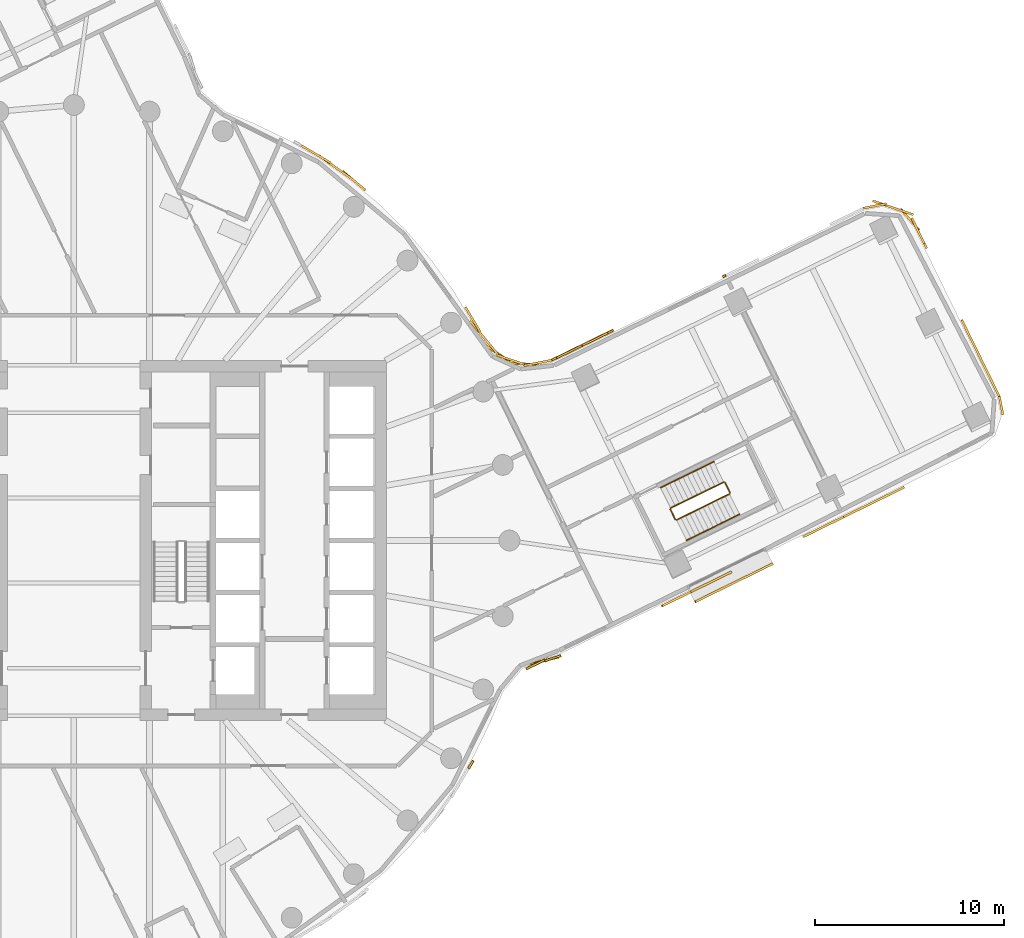
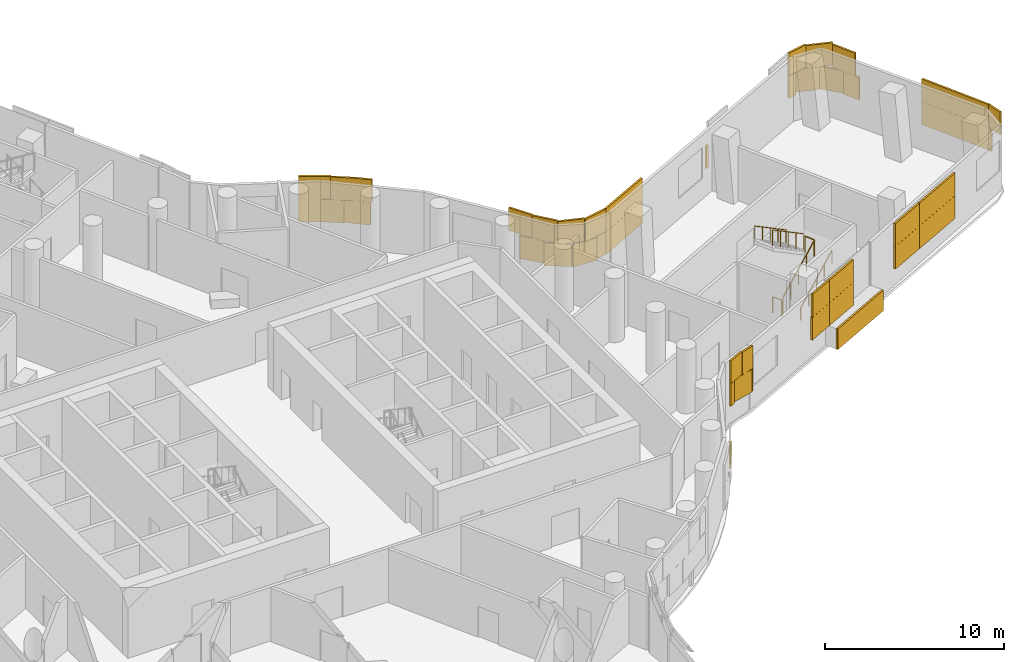
# One storey, part 20 of 23: 7 coverings, 6 railings.
"""IFC4 building model written with IfcOpenShell, lengths in metres."""

from ifc_helpers import new_model, si_unit, direction, frame, origin, origin_2d, place, context, subcontext, project, spatial, rectangle, circle, extrude, material, layer, layer_set, type_object, element, save


model = new_model("IFC4")

# Units and contexts
model_context = context("Model", 3, precision=1e-05, world=origin(), true_north=direction((0.0, 1.0)))
body_context = subcontext(model_context, "Body", "Model", "MODEL_VIEW")
ifc_project = project(units=[si_unit("LENGTHUNIT", "METRE"), si_unit("AREAUNIT", "SQUARE_METRE"), si_unit("VOLUMEUNIT", "CUBIC_METRE"), si_unit("PLANEANGLEUNIT", "RADIAN"), si_unit("MASSUNIT", "GRAM", prefix="KILO")], contexts=[model_context])

# Site, building, storey
site_placement = place(None, origin())
site = spatial("IfcSite", under=ifc_project, at=site_placement, CompositionType="ELEMENT")
building_placement = place(site_placement, origin())
building = spatial("IfcBuilding", under=site, at=building_placement, Name="Tamarind Cross Interchange Tower", CompositionType="ELEMENT")
storey_placement = place(building_placement, frame((0.0, 0.0, 128.5)))
storey = spatial("IfcBuildingStorey", under=building, at=storey_placement, Name="L31", CompositionType="ELEMENT", Elevation=128.5)

# Railings
ifc_material_1 = material(Name="Stair guard")
railing_type_1 = type_object("IfcRailingType", Name="Stair guard", PredefinedType="GUARDRAIL", material=ifc_material_1)
railing_1_placement = place(storey_placement, frame((31.8251953125, 1.08642578125, 0.173095703125)))
element("IfcRailing", 1, at=railing_1_placement, inside=storey, type_object=railing_type_1, Name="L31 ST3 stair guard 1", PredefinedType="GUARDRAIL", context=body_context, shape_type="SweptSolid", body=[
    extrude(circle(Radius=0.02392578125, at=origin_2d()), frame((0.0, 0.0, 1.076171875), z_axis=(0.747410813124, 0.366474920223, 0.554141867461), x_axis=(-0.440251234613, 0.897874629568, 0.0)), (0.0, 0.0, 1.0), 3.748046875),
    extrude(circle(Radius=0.02099609375, at=origin_2d()), origin(), (0.0, 0.0, 1.0), 1.052001953125),
    extrude(circle(Radius=0.02099609375, at=origin_2d()), frame((0.7001953125, 0.34326171875, 0.519287109375)), (0.0, 0.0, 1.0), 1.052001953125),
    extrude(circle(Radius=0.02099609375, at=origin_2d()), frame((1.400634765625, 0.686767578125, 1.03857421875)), (0.0, 0.0, 1.0), 1.052001953125),
    extrude(circle(Radius=0.02099609375, at=origin_2d()), frame((2.10107421875, 1.0302734375, 1.5576171875)), (0.0, 0.0, 1.0), 1.052001953125),
    extrude(circle(Radius=0.02099609375, at=origin_2d()), frame((2.80126953125, 1.37353515625, 2.076904296875)), (0.0, 0.0, 1.0), 1.052001953125),
])
railing_2_placement = place(storey_placement, frame((34.6494140625, 2.52685546875, 2.25)))
element("IfcRailing", 2, at=railing_2_placement, inside=storey, type_object=railing_type_1, Name="L31 ST3 stair guard 2", PredefinedType="GUARDRAIL", context=body_context, shape_type="SweptSolid", body=[
    extrude(circle(Radius=0.02392578125, at=origin_2d()), frame((0.0, 0.0, 1.076171875), z_axis=(-0.44020223889, 0.897898651784, 0.0), x_axis=(-0.897898651784, -0.44020223889, 0.0)), (0.0, 0.0, 1.0), 0.60009765625),
    extrude(circle(Radius=0.02099609375, at=origin_2d()), origin(), (0.0, 0.0, 1.0), 1.052001953125),
    extrude(circle(Radius=0.02099609375, at=origin_2d()), frame((-0.26416015625, 0.538818359375, 0.0)), (0.0, 0.0, 1.0), 1.052001953125),
])
railing_3_placement = place(storey_placement, frame((34.318359375, 3.088623046875, 2.423095703125)))
element("IfcRailing", 3, at=railing_3_placement, inside=storey, type_object=railing_type_1, Name="L31 ST3 stair guard 3", PredefinedType="GUARDRAIL", context=body_context, shape_type="SweptSolid", body=[
    extrude(circle(Radius=0.02392578125, at=origin_2d()), frame((0.0, 0.0, 1.076171875), z_axis=(-0.747439562114, -0.366457078558, 0.554114889316), x_axis=(0.440220303874, -0.897889795051, 0.0)), (0.0, 0.0, 1.0), 3.748046875),
    extrude(circle(Radius=0.02099609375, at=origin_2d()), origin(), (0.0, 0.0, 1.0), 1.052001953125),
    extrude(circle(Radius=0.02099609375, at=origin_2d()), frame((-0.700439453125, -0.34326171875, 0.519287109375)), (0.0, 0.0, 1.0), 1.052001953125),
    extrude(circle(Radius=0.02099609375, at=origin_2d()), frame((-1.40087890625, -0.686767578125, 1.03857421875)), (0.0, 0.0, 1.0), 1.052001953125),
    extrude(circle(Radius=0.02099609375, at=origin_2d()), frame((-2.10107421875, -1.0302734375, 1.5576171875)), (0.0, 0.0, 1.0), 1.052001953125),
    extrude(circle(Radius=0.02099609375, at=origin_2d()), frame((-2.801513671875, -1.37353515625, 2.076904296875)), (0.0, 0.0, 1.0), 1.052001953125),
])
railing_4_placement = place(storey_placement, frame((31.758056640625, 1.109375, 0.0)))
element("IfcRailing", 4, at=railing_4_placement, inside=storey, type_object=railing_type_1, Name="L31 ST3 stair guard 4", PredefinedType="GUARDRAIL", context=body_context, shape_type="SweptSolid", body=[
    extrude(circle(Radius=0.02392578125, at=origin_2d()), frame((0.0, 0.0, 1.076171875), z_axis=(-0.44020223889, 0.897898651784, 0.0), x_axis=(-0.897898651784, -0.44020223889, 0.0)), (0.0, 0.0, 1.0), 0.60009765625),
    extrude(circle(Radius=0.02099609375, at=origin_2d()), origin(), (0.0, 0.0, 1.0), 1.052001953125),
    extrude(circle(Radius=0.02099609375, at=origin_2d()), frame((-0.26416015625, 0.538818359375, 0.0)), (0.0, 0.0, 1.0), 1.052001953125),
])
ifc_material_2 = material(Name="Stair handrail")
railing_type_2 = type_object("IfcRailingType", Name="Stair handrail", PredefinedType="HANDRAIL", material=ifc_material_2)
railing_5_placement = place(storey_placement, frame((32.353271484375, 0.009033203125, 0.173095703125)))
element("IfcRailing", 5, at=railing_5_placement, inside=storey, type_object=railing_type_2, Name="L31 ST3 stair handrail 1", PredefinedType="HANDRAIL", context=body_context, shape_type="SweptSolid", body=[
    extrude(circle(Radius=0.02392578125, at=origin_2d()), frame((0.0, 0.0, 0.8759765625), z_axis=(0.747439562114, 0.366457078558, 0.554114889316), x_axis=(-0.440220303874, 0.897889795051, 0.0)), (0.0, 0.0, 1.0), 3.748046875),
    extrude(circle(Radius=0.02099609375, at=origin_2d()), origin(), (0.0, 0.0, 1.0), 0.851806640625),
    extrude(circle(Radius=0.02099609375, at=origin_2d()), frame((0.700439453125, 0.34326171875, 0.519287109375)), (0.0, 0.0, 1.0), 0.851806640625),
    extrude(circle(Radius=0.02099609375, at=origin_2d()), frame((1.40087890625, 0.686767578125, 1.03857421875)), (0.0, 0.0, 1.0), 0.851806640625),
    extrude(circle(Radius=0.02099609375, at=origin_2d()), frame((2.10107421875, 1.0302734375, 1.5576171875)), (0.0, 0.0, 1.0), 0.851806640625),
    extrude(circle(Radius=0.02099609375, at=origin_2d()), frame((2.801513671875, 1.37353515625, 2.076904296875)), (0.0, 0.0, 1.0), 0.851806640625),
])
railing_6_placement = place(storey_placement, frame((33.7900390625, 4.166015625, 2.423095703125)))
element("IfcRailing", 6, at=railing_6_placement, inside=storey, type_object=railing_type_2, Name="L31 ST3 stair handrail 2", PredefinedType="HANDRAIL", context=body_context, shape_type="SweptSolid", body=[
    extrude(circle(Radius=0.02392578125, at=origin_2d()), frame((0.0, 0.0, 0.8759765625), z_axis=(-0.747439562114, -0.366457078558, 0.554114889316), x_axis=(0.440220303874, -0.897889795051, 0.0)), (0.0, 0.0, 1.0), 3.748046875),
    extrude(circle(Radius=0.02099609375, at=origin_2d()), origin(), (0.0, 0.0, 1.0), 0.851806640625),
    extrude(circle(Radius=0.02099609375, at=origin_2d()), frame((-0.700439453125, -0.34326171875, 0.519287109375)), (0.0, 0.0, 1.0), 0.851806640625),
    extrude(circle(Radius=0.02099609375, at=origin_2d()), frame((-1.40087890625, -0.686767578125, 1.03857421875)), (0.0, 0.0, 1.0), 0.851806640625),
    extrude(circle(Radius=0.02099609375, at=origin_2d()), frame((-2.10107421875, -1.0302734375, 1.5576171875)), (0.0, 0.0, 1.0), 0.851806640625),
    extrude(circle(Radius=0.02099609375, at=origin_2d()), frame((-2.801513671875, -1.37353515625, 2.076904296875)), (0.0, 0.0, 1.0), 0.851806640625),
])

# Coverings
ifc_material_3 = material(Name="Terracotta", Category="masonry")
ifc_layer = layer(ifc_material_3, 0.1201171875)
ifc_layer_set = layer_set([ifc_layer], Name="Terracotta")
covering_type = type_object("IfcCoveringType", Name="Terracotta baguette screen unit", PredefinedType="MOLDING", material=ifc_layer_set)
covering_1_placement = place(storey_placement, origin())
element("IfcCovering", 7, at=covering_1_placement, inside=storey, type_object=covering_type, Name="SCR-L31-06-01", PredefinedType="MOLDING", context=body_context, shape_type="SweptSolid", body=[
    extrude(rectangle(XDim=0.481201171875, YDim=0.1201171875, at=origin_2d()), frame((20.960693359375, -11.832275390625, 1.404052734375), z_axis=(0.0, 0.0, 1.0), x_axis=(0.508183308752, 0.861248933065, 0.0)), (0.0, 0.0, 1.0), 1.5419921875),
    extrude(rectangle(XDim=0.3271484375, YDim=0.1201171875, at=origin_2d()), frame((24.02978515625, -6.70361328125, 1.404052734375), z_axis=(0.0, 0.0, 1.0), x_axis=(0.902502219891, 0.430685201848, 0.0)), (0.0, 0.0, 1.0), 1.5419921875),
    extrude(rectangle(XDim=1.52001953125, YDim=0.1201171875, at=origin_2d()), frame((24.859375, -6.33837890625, 1.404052734375), z_axis=(0.0, 0.0, 1.0), x_axis=(0.967500914057, 0.252867517288, 0.0)), (0.0, 0.0, 1.0), 1.5419921875),
    extrude(rectangle(XDim=0.147216796875, YDim=0.1201171875, at=origin_2d()), frame((25.64208984375, -6.1005859375, 1.404052734375), z_axis=(0.0, 0.0, 1.0), x_axis=(0.947657014468, 0.319290123445, 0.0)), (0.0, 0.0, 1.0), 1.5419921875),
    extrude(rectangle(XDim=1.0771484375, YDim=0.1201171875, at=origin_2d()), frame((24.3681640625, -6.5419921875, 2.9541015625), z_axis=(0.0, 0.0, 1.0), x_axis=(0.902502219891, 0.430685201848, 0.0)), (0.0, 0.0, 1.0), 1.5419921875),
    extrude(rectangle(XDim=0.897216796875, YDim=0.1201171875, at=origin_2d()), frame((25.286865234375, -6.220458984375, 2.9541015625), z_axis=(0.0, 0.0, 1.0), x_axis=(0.947657014468, 0.319290123445, 0.0)), (0.0, 0.0, 1.0), 1.5419921875),
])
covering_2_placement = place(storey_placement, origin())
element("IfcCovering", 8, at=covering_2_placement, inside=storey, type_object=covering_type, Name="SCR-L31-07-00", PredefinedType="MOLDING", context=body_context, shape_type="SweptSolid", body=[
    extrude(rectangle(XDim=0.83642578125, YDim=0.1201171875, at=origin_2d()), frame((31.396728515625, -3.288818359375, 1.404052734375), z_axis=(0.0, 0.0, 1.0), x_axis=(0.897873953312, 0.440252613806, 0.0)), (0.0, 0.0, 1.0), 1.5419921875),
    extrude(rectangle(XDim=0.9072265625, YDim=0.1201171875, at=origin_2d()), frame((32.170654296875, -2.909423828125, 1.404052734375), z_axis=(0.0, 0.0, 1.0), x_axis=(0.897873953312, 0.440252613806, 0.0)), (0.0, 0.0, 1.0), 1.5419921875),
    extrude(rectangle(XDim=1.52001953125, YDim=0.1201171875, at=origin_2d()), frame((31.767822265625, -3.10693359375, 2.9541015625), z_axis=(0.0, 0.0, 1.0), x_axis=(0.897873953312, 0.440252613806, 0.0)), (0.0, 0.0, 1.0), 1.5419921875),
    extrude(rectangle(XDim=0.1572265625, YDim=0.1201171875, at=origin_2d()), frame((32.50732421875, -2.744384765625, 2.9541015625), z_axis=(0.0, 0.0, 1.0), x_axis=(0.897873953312, 0.440252613806, 0.0)), (0.0, 0.0, 1.0), 1.5419921875),
    extrude(rectangle(XDim=0.040283203125, YDim=0.1201171875, at=origin_2d()), frame((32.8056640625, -3.2373046875, 0.00390625), z_axis=(0.0, 0.0, 1.0), x_axis=(0.897873953312, 0.440252613806, 0.0)), (0.0, 0.0, 1.0), 1.39208984375),
])
covering_3_placement = place(storey_placement, origin())
element("IfcCovering", 9, at=covering_3_placement, inside=storey, type_object=covering_type, Name="SCR-L31-07-01", PredefinedType="MOLDING", context=body_context, shape_type="SweptSolid", body=[
    extrude(rectangle(XDim=0.61279296875, YDim=0.1201171875, at=origin_2d()), frame((32.843994140625, -2.579345703125, 1.404052734375), z_axis=(0.0, 0.0, 1.0), x_axis=(0.897873953312, 0.440252613806, 0.0)), (0.0, 0.0, 1.0), 1.5419921875),
    extrude(rectangle(XDim=1.52001953125, YDim=0.1201171875, at=origin_2d()), frame((33.7880859375, -2.116455078125, 1.404052734375), z_axis=(0.0, 0.0, 1.0), x_axis=(0.897873953312, 0.440252613806, 0.0)), (0.0, 0.0, 1.0), 1.5419921875),
    extrude(rectangle(XDim=0.310546875, YDim=0.1201171875, at=origin_2d()), frame((34.59619140625, -1.72021484375, 1.404052734375), z_axis=(0.0, 0.0, 1.0), x_axis=(0.897873953312, 0.440252613806, 0.0)), (0.0, 0.0, 1.0), 1.5419921875),
    extrude(rectangle(XDim=1.509521484375, YDim=0.1201171875, at=origin_2d()), frame((39.175537109375, 0.525146484375, 1.404052734375), z_axis=(0.0, 0.0, 1.0), x_axis=(0.897873953312, 0.440252613806, 0.0)), (0.0, 0.0, 1.0), 1.5419921875),
    extrude(rectangle(XDim=0.913818359375, YDim=0.1201171875, at=origin_2d()), frame((40.25439453125, 1.05419921875, 1.404052734375), z_axis=(0.0, 0.0, 1.0), x_axis=(0.897873953312, 0.440252613806, 0.0)), (0.0, 0.0, 1.0), 1.5419921875),
    extrude(rectangle(XDim=1.36279296875, YDim=0.1201171875, at=origin_2d()), frame((33.1806640625, -2.414306640625, 2.9541015625), z_axis=(0.0, 0.0, 1.0), x_axis=(0.897873953312, 0.440252613806, 0.0)), (0.0, 0.0, 1.0), 1.5419921875),
    extrude(rectangle(XDim=1.060546875, YDim=0.1201171875, at=origin_2d()), frame((34.259521484375, -1.88525390625, 2.9541015625), z_axis=(0.0, 0.0, 1.0), x_axis=(0.897873953312, 0.440252613806, 0.0)), (0.0, 0.0, 1.0), 1.5419921875),
    extrude(rectangle(XDim=0.759521484375, YDim=0.1201171875, at=origin_2d()), frame((38.8388671875, 0.360107421875, 2.9541015625), z_axis=(0.0, 0.0, 1.0), x_axis=(0.897873953312, 0.440252613806, 0.0)), (0.0, 0.0, 1.0), 1.5419921875),
    extrude(rectangle(XDim=1.52001953125, YDim=0.1201171875, at=origin_2d()), frame((39.8486328125, 0.855224609375, 2.9541015625), z_axis=(0.0, 0.0, 1.0), x_axis=(0.897873953312, 0.440252613806, 0.0)), (0.0, 0.0, 1.0), 1.5419921875),
    extrude(rectangle(XDim=0.163818359375, YDim=0.1201171875, at=origin_2d()), frame((40.591064453125, 1.21923828125, 2.9541015625), z_axis=(0.0, 0.0, 1.0), x_axis=(0.897873953312, 0.440252613806, 0.0)), (0.0, 0.0, 1.0), 1.5419921875),
    extrude(rectangle(XDim=0.577880859375, YDim=0.1201171875, at=origin_2d()), frame((33.0830078125, -3.101318359375, 0.00390625), z_axis=(0.0, 0.0, 1.0), x_axis=(0.897873953312, 0.440252613806, 0.0)), (0.0, 0.0, 1.0), 1.39208984375),
    extrude(rectangle(XDim=1.52001953125, YDim=0.1201171875, at=origin_2d()), frame((34.0068359375, -2.6484375, 0.00390625), z_axis=(0.0, 0.0, 1.0), x_axis=(0.897873953312, 0.440252613806, 0.0)), (0.0, 0.0, 1.0), 1.39208984375),
    extrude(rectangle(XDim=1.52001953125, YDim=0.1201171875, at=origin_2d()), frame((35.353759765625, -1.988037109375, 0.00390625), z_axis=(0.0, 0.0, 1.0), x_axis=(0.897873953312, 0.440252613806, 0.0)), (0.0, 0.0, 1.0), 1.39208984375),
    extrude(rectangle(XDim=1.00634765625, YDim=0.1201171875, at=origin_2d()), frame((36.469970703125, -1.440673828125, 0.00390625), z_axis=(0.0, 0.0, 1.0), x_axis=(0.897873953312, 0.440252613806, 0.0)), (0.0, 0.0, 1.0), 1.39208984375),
])
covering_4_placement = place(storey_placement, origin())
element("IfcCovering", 10, at=covering_4_placement, inside=storey, type_object=covering_type, Name="SCR-L31-07-02", PredefinedType="MOLDING", context=body_context, shape_type="SweptSolid", body=[
    extrude(rectangle(XDim=0.606201171875, YDim=0.1201171875, at=origin_2d()), frame((40.927734375, 1.38427734375, 1.404052734375), z_axis=(0.0, 0.0, 1.0), x_axis=(0.897873953312, 0.440252613806, 0.0)), (0.0, 0.0, 1.0), 1.5419921875),
    extrude(rectangle(XDim=1.52001953125, YDim=0.1201171875, at=origin_2d()), frame((41.868896484375, 1.845947265625, 1.404052734375), z_axis=(0.0, 0.0, 1.0), x_axis=(0.897873953312, 0.440252613806, 0.0)), (0.0, 0.0, 1.0), 1.5419921875),
    extrude(rectangle(XDim=1.469970703125, YDim=0.1201171875, at=origin_2d()), frame((43.19775390625, 2.497314453125, 1.404052734375), z_axis=(0.0, 0.0, 1.0), x_axis=(0.897873953312, 0.440252613806, 0.0)), (0.0, 0.0, 1.0), 1.5419921875),
    extrude(rectangle(XDim=0.22607421875, YDim=0.1201171875, at=origin_2d()), frame((48.892333984375, 7.488037109375, 1.404052734375), z_axis=(0.0, 0.0, 1.0), x_axis=(-0.192864490548, 0.981225401366, 0.0)), (0.0, 0.0, 1.0), 1.5419921875),
    extrude(rectangle(XDim=1.356201171875, YDim=0.1201171875, at=origin_2d()), frame((41.264404296875, 1.549560546875, 2.9541015625), z_axis=(0.0, 0.0, 1.0), x_axis=(0.897873953312, 0.440252613806, 0.0)), (0.0, 0.0, 1.0), 1.5419921875),
    extrude(rectangle(XDim=1.52001953125, YDim=0.1201171875, at=origin_2d()), frame((42.542236328125, 2.176025390625, 2.9541015625), z_axis=(0.0, 0.0, 1.0), x_axis=(0.897873953312, 0.440252613806, 0.0)), (0.0, 0.0, 1.0), 1.5419921875),
    extrude(rectangle(XDim=0.719970703125, YDim=0.1201171875, at=origin_2d()), frame((43.534423828125, 2.662353515625, 2.9541015625), z_axis=(0.0, 0.0, 1.0), x_axis=(0.897873953312, 0.440252613806, 0.0)), (0.0, 0.0, 1.0), 1.5419921875),
    extrude(rectangle(XDim=0.97607421875, YDim=0.1201171875, at=origin_2d()), frame((48.964599609375, 7.1201171875, 2.9541015625), z_axis=(0.0, 0.0, 1.0), x_axis=(-0.192864490548, 0.981225401366, 0.0)), (0.0, 0.0, 1.0), 1.5419921875),
])
covering_5_placement = place(storey_placement, origin())
element("IfcCovering", 11, at=covering_5_placement, inside=storey, type_object=covering_type, Name="SCR-L31-08-00", PredefinedType="MOLDING", context=body_context, shape_type="SweptSolid", body=[
    extrude(rectangle(XDim=0.760009765625, YDim=0.1201171875, at=origin_2d()), frame((48.70654296875, 7.9306640625, 1.404052734375), z_axis=(0.0, 0.0, 1.0), x_axis=(-0.440252613806, 0.897873953312, 0.0)), (0.0, 0.0, 1.0), 1.5419921875),
    extrude(rectangle(XDim=1.52001953125, YDim=0.1201171875, at=origin_2d()), frame((48.211181640625, 8.940673828125, 1.404052734375), z_axis=(0.0, 0.0, 1.0), x_axis=(-0.440252613806, 0.897873953312, 0.0)), (0.0, 0.0, 1.0), 1.5419921875),
    extrude(rectangle(XDim=1.52001953125, YDim=0.1201171875, at=origin_2d()), frame((47.55078125, 10.28759765625, 1.404052734375), z_axis=(0.0, 0.0, 1.0), x_axis=(-0.440252613806, 0.897873953312, 0.0)), (0.0, 0.0, 1.0), 1.5419921875),
    extrude(rectangle(XDim=0.784912109375, YDim=0.1201171875, at=origin_2d()), frame((47.050048828125, 11.308837890625, 1.404052734375), z_axis=(0.0, 0.0, 1.0), x_axis=(-0.440252613806, 0.897873953312, 0.0)), (0.0, 0.0, 1.0), 1.5419921875),
    extrude(rectangle(XDim=1.03515625, YDim=0.1201171875, at=origin_2d()), frame((44.8046875, 15.887939453125, 1.404052734375), z_axis=(0.0, 0.0, 1.0), x_axis=(-0.440252613806, 0.897873953312, 0.0)), (0.0, 0.0, 1.0), 1.5419921875),
    extrude(rectangle(XDim=1.52001953125, YDim=0.1201171875, at=origin_2d()), frame((44.145263671875, 16.952880859375, 1.404052734375), z_axis=(0.0, 0.0, 1.0), x_axis=(-0.657638248986, 0.753333879147, 0.0)), (0.0, 0.0, 1.0), 1.5419921875),
    extrude(rectangle(XDim=1.52001953125, YDim=0.1201171875, at=origin_2d()), frame((42.897705078125, 17.69384765625, 1.404052734375), z_axis=(0.0, 0.0, 1.0), x_axis=(-0.946198369695, 0.32358715238, 0.0)), (0.0, 0.0, 1.0), 1.5419921875),
    extrude(rectangle(XDim=0.509521484375, YDim=0.1201171875, at=origin_2d()), frame((41.9228515625, 17.59326171875, 1.404052734375), z_axis=(0.0, 0.0, 1.0), x_axis=(-0.981225401366, -0.192864490548, 0.0)), (0.0, 0.0, 1.0), 1.5419921875),
    extrude(rectangle(XDim=1.510009765625, YDim=0.1201171875, at=origin_2d()), frame((48.541259765625, 8.267333984375, 2.9541015625), z_axis=(0.0, 0.0, 1.0), x_axis=(-0.440252613806, 0.897873953312, 0.0)), (0.0, 0.0, 1.0), 1.5419921875),
    extrude(rectangle(XDim=1.52001953125, YDim=0.1201171875, at=origin_2d()), frame((47.881103515625, 9.6142578125, 2.9541015625), z_axis=(0.0, 0.0, 1.0), x_axis=(-0.440252613806, 0.897873953312, 0.0)), (0.0, 0.0, 1.0), 1.5419921875),
    extrude(rectangle(XDim=1.52001953125, YDim=0.1201171875, at=origin_2d()), frame((47.220703125, 10.9609375, 2.9541015625), z_axis=(0.0, 0.0, 1.0), x_axis=(-0.440252613806, 0.897873953312, 0.0)), (0.0, 0.0, 1.0), 1.5419921875),
    extrude(rectangle(XDim=1.52001953125, YDim=0.1201171875, at=origin_2d()), frame((44.5791015625, 16.34814453125, 2.9541015625), z_axis=(0.0, 0.0, 1.0), x_axis=(-0.440252613806, 0.897873953312, 0.0)), (0.0, 0.0, 1.0), 1.5419921875),
    extrude(rectangle(XDim=1.52001953125, YDim=0.1201171875, at=origin_2d()), frame((43.607421875, 17.451171875, 2.9541015625), z_axis=(0.0, 0.0, 1.0), x_axis=(-0.946198369695, 0.32358715238, 0.0)), (0.0, 0.0, 1.0), 1.5419921875),
    extrude(rectangle(XDim=1.259521484375, YDim=0.1201171875, at=origin_2d()), frame((42.291015625, 17.66552734375, 2.9541015625), z_axis=(0.0, 0.0, 1.0), x_axis=(-0.981225401366, -0.192864490548, 0.0)), (0.0, 0.0, 1.0), 1.5419921875),
])
covering_6_placement = place(storey_placement, origin())
element("IfcCovering", 12, at=covering_6_placement, inside=storey, type_object=covering_type, Name="SCR-L31-09-01", PredefinedType="MOLDING", context=body_context, shape_type="SweptSolid", body=[
    extrude(rectangle(XDim=0.179443359375, YDim=0.1201171875, at=origin_2d()), frame((34.33984375, 13.9638671875, 1.404052734375), z_axis=(0.0, 0.0, 1.0), x_axis=(-0.898690697479, -0.438582979909, 0.0)), (0.0, 0.0, 1.0), 1.5419921875),
    extrude(rectangle(XDim=1.07958984375, YDim=0.1201171875, at=origin_2d()), frame((28.004150390625, 10.871826171875, 1.404052734375), z_axis=(0.0, 0.0, 1.0), x_axis=(-0.898690697479, -0.438582979909, 0.0)), (0.0, 0.0, 1.0), 1.5419921875),
    extrude(rectangle(XDim=1.52001953125, YDim=0.1201171875, at=origin_2d()), frame((26.849365234375, 10.308349609375, 1.404052734375), z_axis=(0.0, 0.0, 1.0), x_axis=(-0.898690697479, -0.438582979909, 0.0)), (0.0, 0.0, 1.0), 1.5419921875),
    extrude(rectangle(XDim=1.04052734375, YDim=0.1201171875, at=origin_2d()), frame((25.71240234375, 9.75341796875, 1.404052734375), z_axis=(0.0, 0.0, 1.0), x_axis=(-0.898690697479, -0.438582979909, 0.0)), (0.0, 0.0, 1.0), 1.5419921875),
    extrude(rectangle(XDim=0.32958984375, YDim=0.1201171875, at=origin_2d()), frame((28.341064453125, 11.036376953125, 2.9541015625), z_axis=(0.0, 0.0, 1.0), x_axis=(-0.898690697479, -0.438582979909, 0.0)), (0.0, 0.0, 1.0), 1.5419921875),
    extrude(rectangle(XDim=1.52001953125, YDim=0.1201171875, at=origin_2d()), frame((27.5234375, 10.63720703125, 2.9541015625), z_axis=(0.0, 0.0, 1.0), x_axis=(-0.898690697479, -0.438582979909, 0.0)), (0.0, 0.0, 1.0), 1.5419921875),
    extrude(rectangle(XDim=1.52001953125, YDim=0.1201171875, at=origin_2d()), frame((26.175537109375, 9.9794921875, 2.9541015625), z_axis=(0.0, 0.0, 1.0), x_axis=(-0.898690697479, -0.438582979909, 0.0)), (0.0, 0.0, 1.0), 1.5419921875),
    extrude(rectangle(XDim=0.29052734375, YDim=0.1201171875, at=origin_2d()), frame((25.375244140625, 9.5888671875, 2.9541015625), z_axis=(0.0, 0.0, 1.0), x_axis=(-0.898690697479, -0.438582979909, 0.0)), (0.0, 0.0, 1.0), 1.5419921875),
])
covering_7_placement = place(storey_placement, origin())
element("IfcCovering", 13, at=covering_7_placement, inside=storey, type_object=covering_type, Name="SCR-L31-10-00", PredefinedType="MOLDING", context=body_context, shape_type="SweptSolid", body=[
    extrude(rectangle(XDim=0.760009765625, YDim=0.1201171875, at=origin_2d()), frame((24.88134765625, 9.455078125, 1.404052734375), z_axis=(0.0, 0.0, 1.0), x_axis=(-0.98126317756, -0.192672199254, 0.0)), (0.0, 0.0, 1.0), 1.5419921875),
    extrude(rectangle(XDim=1.52001953125, YDim=0.1201171875, at=origin_2d()), frame((23.771484375, 9.33349609375, 1.404052734375), z_axis=(0.0, 0.0, 1.0), x_axis=(-0.997681362258, 0.068058059063, 0.0)), (0.0, 0.0, 1.0), 1.5419921875),
    extrude(rectangle(XDim=1.52001953125, YDim=0.1201171875, at=origin_2d()), frame((22.3896484375, 9.87646484375, 1.404052734375), z_axis=(0.0, 0.0, 1.0), x_axis=(-0.829769698331, 0.55810594669, 0.0)), (0.0, 0.0, 1.0), 1.5419921875),
    extrude(rectangle(XDim=1.52001953125, YDim=0.1201171875, at=origin_2d()), frame((21.4111328125, 11.0078125, 1.404052734375), z_axis=(0.0, 0.0, 1.0), x_axis=(-0.638639965842, 0.76950568161, 0.0)), (0.0, 0.0, 1.0), 1.5419921875),
    extrude(rectangle(XDim=1.52001953125, YDim=0.1201171875, at=origin_2d()), frame((14.76318359375, 19.027587890625, 1.404052734375), z_axis=(0.0, 0.0, 1.0), x_axis=(-0.765858396687, 0.643009266048, 0.0)), (0.0, 0.0, 1.0), 1.5419921875),
    extrude(rectangle(XDim=1.52001953125, YDim=0.1201171875, at=origin_2d()), frame((13.542236328125, 19.8984375, 1.404052734375), z_axis=(0.0, 0.0, 1.0), x_axis=(-0.816341886298, 0.577568978284, 0.0)), (0.0, 0.0, 1.0), 1.5419921875),
    extrude(rectangle(XDim=1.038818359375, YDim=0.1201171875, at=origin_2d()), frame((12.478271484375, 20.57958984375, 1.404052734375), z_axis=(0.0, 0.0, 1.0), x_axis=(-0.861248933065, 0.508183308752, 0.0)), (0.0, 0.0, 1.0), 1.5419921875),
    extrude(rectangle(XDim=1.510009765625, YDim=0.1201171875, at=origin_2d()), frame((24.51318359375, 9.383056640625, 2.9541015625), z_axis=(0.0, 0.0, 1.0), x_axis=(-0.98126317756, -0.192672199254, 0.0)), (0.0, 0.0, 1.0), 1.5419921875),
    extrude(rectangle(XDim=1.52001953125, YDim=0.1201171875, at=origin_2d()), frame((23.0556640625, 9.54541015625, 2.9541015625), z_axis=(0.0, 0.0, 1.0), x_axis=(-0.946007969178, 0.324143366817, 0.0)), (0.0, 0.0, 1.0), 1.5419921875),
    extrude(rectangle(XDim=1.52001953125, YDim=0.1201171875, at=origin_2d()), frame((21.89013671875, 10.4306640625, 2.9541015625), z_axis=(0.0, 0.0, 1.0), x_axis=(-0.638639965842, 0.76950568161, 0.0)), (0.0, 0.0, 1.0), 1.5419921875),
    extrude(rectangle(XDim=1.52001953125, YDim=0.1201171875, at=origin_2d()), frame((21.06298828125, 11.671875, 2.9541015625), z_axis=(0.0, 0.0, 1.0), x_axis=(-0.515577308909, 0.856843065292, 0.0)), (0.0, 0.0, 1.0), 1.5419921875),
    extrude(rectangle(XDim=0.838623046875, YDim=0.1201171875, at=origin_2d()), frame((15.08056640625, 18.76123046875, 2.9541015625), z_axis=(0.0, 0.0, 1.0), x_axis=(-0.765858396687, 0.643009266048, 0.0)), (0.0, 0.0, 1.0), 1.5419921875),
    extrude(rectangle(XDim=1.52001953125, YDim=0.1201171875, at=origin_2d()), frame((14.154296875, 19.46533203125, 2.9541015625), z_axis=(0.0, 0.0, 1.0), x_axis=(-0.816341886298, 0.577568978284, 0.0)), (0.0, 0.0, 1.0), 1.5419921875),
    extrude(rectangle(XDim=1.52001953125, YDim=0.1201171875, at=origin_2d()), frame((12.921142578125, 20.318359375, 2.9541015625), z_axis=(0.0, 0.0, 1.0), x_axis=(-0.861248933065, 0.508183308752, 0.0)), (0.0, 0.0, 1.0), 1.5419921875),
    extrude(rectangle(XDim=0.288818359375, YDim=0.1201171875, at=origin_2d()), frame((12.1552734375, 20.770263671875, 2.9541015625), z_axis=(0.0, 0.0, 1.0), x_axis=(-0.861248933065, 0.508183308752, 0.0)), (0.0, 0.0, 1.0), 1.5419921875),
])

save(model, "model.ifc")
